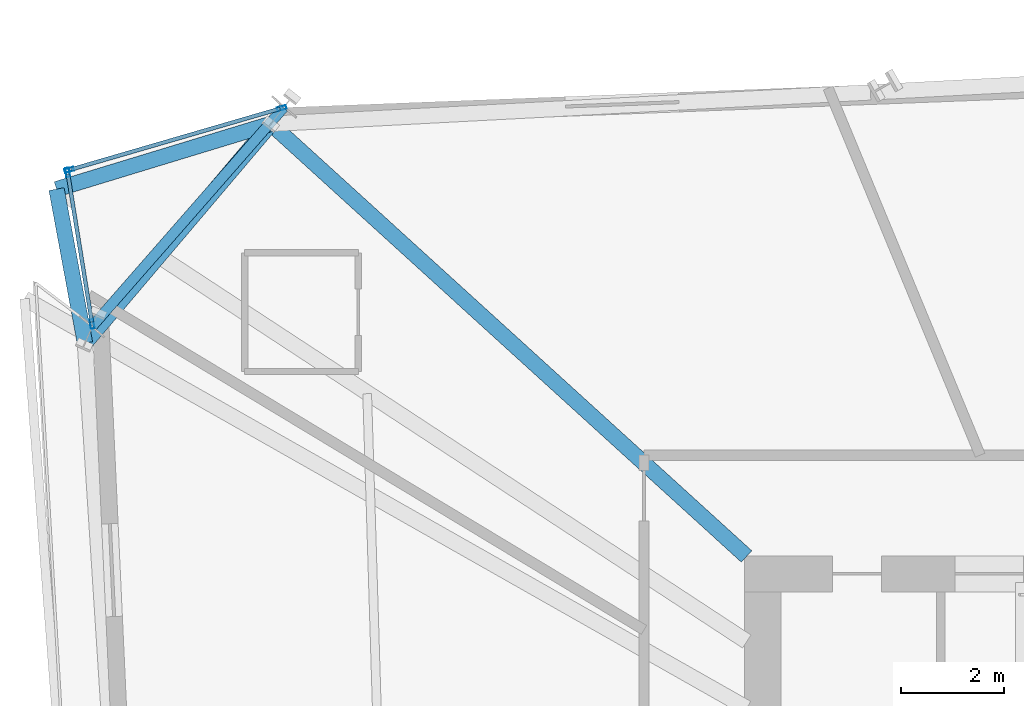
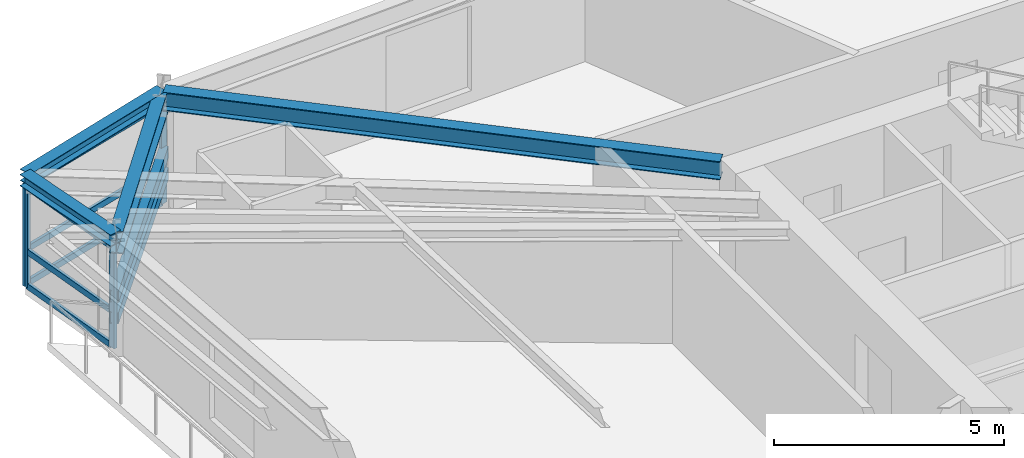
# One storey, part 7 of 19: 12 members, 4 beams, 2 elements without a shape of their own.
"""IFC4 building model written with IfcOpenShell, lengths in metres."""

from ifc_helpers import new_model, si_unit, direction, frame, origin, origin_2d, place, context, subcontext, project, spatial, hollow_rectangle, i_section, extrude, source, transform, mapped, material, material_profile, profile_set, type_object, element, aggregate, save


model = new_model("IFC4")

# Units and contexts
model_context = context("Model", 3, precision=1e-05, world=origin(), true_north=direction((0.0, 1.0)))
body_context = subcontext(model_context, "Body", "Model", "MODEL_VIEW")
ifc_project = project(units=[si_unit("LENGTHUNIT", "METRE"), si_unit("AREAUNIT", "SQUARE_METRE"), si_unit("VOLUMEUNIT", "CUBIC_METRE"), si_unit("PLANEANGLEUNIT", "RADIAN"), si_unit("MASSUNIT", "GRAM", prefix="KILO")], contexts=[model_context])

# Site, building, storey
site_placement = place(None, origin())
site = spatial("IfcSite", under=ifc_project, at=site_placement, CompositionType="ELEMENT")
building_placement = place(site_placement, origin())
building = spatial("IfcBuilding", under=site, at=building_placement, Name="Olszyna Solenne Hotel", CompositionType="ELEMENT")
storey_placement = place(building_placement, frame((0.0, 0.0, 102.14990234375)))
storey = spatial("IfcBuildingStorey", under=building, at=storey_placement, Name="L26", CompositionType="ELEMENT", Elevation=102.14990234375)

# Beams
ifc_material_1 = material(Name="Steel S355J2", Category="steel")
ifc_material_profile_1 = material_profile(ifc_material_1, i_section(OverallWidth=0.300048828125, OverallDepth=0.60009765625, WebThickness=0.015380859375, FlangeThickness=0.030029296875, at=origin_2d()), Name="HEB 600", Category="load-bearing")
ifc_profile_set_1 = profile_set([ifc_material_profile_1], Name="Steel S355J2")
beam_type_1 = type_object("IfcBeamType", Name="BM-S2", PredefinedType="BEAM", material=ifc_profile_set_1)
shared_shape_1 = source(origin(), body_context, "Body", "SweptSolid", [
    extrude(i_section(OverallWidth=0.300048828125, OverallDepth=0.60009765625, WebThickness=0.015380859375, FlangeThickness=0.030029296875, at=origin_2d()), origin(), (0.0, 0.0, 1.0), 5.449462890625),
])
beam_1_placement = place(storey_placement, frame((20.182373046875, 42.723388671875, 3.0), z_axis=(-0.646779306026, -0.762677211733, 0.0), x_axis=(0.762677211733, -0.646779306026, 0.0)))
element("IfcBeam", 1, at=beam_1_placement, inside=storey, type_object=beam_type_1, Name="Perimeter spandrel beam BM-S2 B-L26-0784", PredefinedType="BEAM", context=body_context, shape_type="MappedRepresentation", body=[
    mapped(shared_shape_1, transform((0.0, 0.0, 0.0), x_axis=(1.0, 0.0, 0.0), y_axis=(0.0, 1.0, 0.0), z_axis=(0.0, 0.0, 1.0), scale=1.0)),
])
ifc_material_profile_2 = material_profile(ifc_material_1, i_section(OverallWidth=0.300048828125, OverallDepth=0.489990234375, WebThickness=0.011962890625, FlangeThickness=0.02294921875, at=origin_2d()), Name="HEA 500", Category="load-bearing")
ifc_profile_set_2 = profile_set([ifc_material_profile_2], Name="Steel S355J2")
beam_type_2 = type_object("IfcBeamType", Name="BM-G1", PredefinedType="BEAM", material=ifc_profile_set_2)
shared_shape_2 = source(origin(), body_context, "Body", "SweptSolid", [
    extrude(i_section(OverallWidth=0.300048828125, OverallDepth=0.489990234375, WebThickness=0.011962890625, FlangeThickness=0.02294921875, at=origin_2d()), origin(), (0.0, 0.0, 1.0), 12.397216796875),
])
beam_2_placement = place(storey_placement, frame((20.265380859375, 42.728759765625, 3.05517578125), z_axis=(0.739810851595, -0.672814910553, 0.0), x_axis=(0.672814910553, 0.739810851595, 0.0)))
element("IfcBeam", 2, at=beam_2_placement, inside=storey, type_object=beam_type_2, Name="Radial floor girder BM-G1 B-L26-0795", PredefinedType="BEAM", context=body_context, shape_type="MappedRepresentation", body=[
    mapped(shared_shape_2, transform((0.0, 0.0, 0.0), x_axis=(1.0, 0.0, 0.0), y_axis=(0.0, 1.0, 0.0), z_axis=(0.0, 0.0, 1.0), scale=1.0)),
])
ifc_material_profile_3 = material_profile(ifc_material_1, i_section(OverallWidth=0.300048828125, OverallDepth=0.31005859375, WebThickness=0.009033203125, FlangeThickness=0.015380859375, at=origin_2d()), Name="HEA 320", Category="load-bearing")
ifc_profile_set_3 = profile_set([ifc_material_profile_3], Name="Steel S355J2")
beam_type_3 = type_object("IfcBeamType", Name="BM-G3", PredefinedType="BEAM", material=ifc_profile_set_3)
shared_shape_3 = source(origin(), body_context, "Body", "SweptSolid", [
    extrude(i_section(OverallWidth=0.300048828125, OverallDepth=0.31005859375, WebThickness=0.009033203125, FlangeThickness=0.015380859375, at=origin_2d()), origin(), (0.0, 0.0, 1.0), 4.341796875),
])
beam_3_placement = place(storey_placement, frame((20.22119140625, 42.769287109375, 3.14501953125), z_axis=(-0.956640505841, -0.291271252587, 0.0), x_axis=(0.291271252587, -0.956640505841, 0.0)))
element("IfcBeam", 3, at=beam_3_placement, inside=storey, type_object=beam_type_3, Name="Prism side edge beam BM-G3 B-L26-0801", PredefinedType="BEAM", context=body_context, shape_type="MappedRepresentation", body=[
    mapped(shared_shape_3, transform((0.0, 0.0, 0.0), x_axis=(1.0, 0.0, 0.0), y_axis=(0.0, 1.0, 0.0), z_axis=(0.0, 0.0, 1.0), scale=1.0)),
])
shared_shape_4 = source(origin(), body_context, "Body", "SweptSolid", [
    extrude(i_section(OverallWidth=0.300048828125, OverallDepth=0.31005859375, WebThickness=0.009033203125, FlangeThickness=0.015380859375, at=origin_2d()), origin(), (0.0, 0.0, 1.0), 3.033935546875),
])
beam_4_placement = place(storey_placement, frame((16.618896484375, 38.521240234375, 3.14501953125), z_axis=(-0.181703114271, 0.98335343507, 0.0), x_axis=(-0.98335343507, -0.181703114271, 0.0)))
element("IfcBeam", 4, at=beam_4_placement, inside=storey, type_object=beam_type_3, Name="Prism side edge beam BM-G3 B-L26-0802", PredefinedType="BEAM", context=body_context, shape_type="MappedRepresentation", body=[
    mapped(shared_shape_4, transform((0.0, 0.0, 0.0), x_axis=(1.0, 0.0, 0.0), y_axis=(0.0, 1.0, 0.0), z_axis=(0.0, 0.0, 1.0), scale=1.0)),
])

# Members
ifc_material_profile_4 = material_profile(ifc_material_1, hollow_rectangle(XDim=0.199951171875, YDim=0.300048828125, WallThickness=0.01611328125, at=origin_2d()), Name="RHS 300x200x16", Category="load-bearing")
ifc_profile_set_4 = profile_set([ifc_material_profile_4], Name="Steel S355J2")
member_type_1 = type_object("IfcMemberType", Name="CH-PR1", PredefinedType="CHORD", material=ifc_profile_set_4)
shared_shape_5 = source(origin(), body_context, "Body", "SweptSolid", [
    extrude(hollow_rectangle(XDim=0.199951171875, YDim=0.300048828125, WallThickness=0.01611328125, at=origin_2d()), origin(), (0.0, 0.0, 1.0), 5.62255859375),
])
for number, where, z_axis, x_axis, name in (
    (5, (20.46728515625, 43.083740234375, 1.35009765625), (-0.658630638812, -0.752466398996, 0.0), (0.752466398996, -0.658630638812, 0.0), "Glass-prism tie chord CH-PR1 M-L26-PR1"),
    (6, (20.46728515625, 43.083740234375, 0.780029296875), (-0.658630638812, -0.752466398996, 0.0), (0.752466398996, -0.658630638812, 0.0), "Glass-prism tie chord CH-PR1 M-L26-PR2"),
):
    element("IfcMember", number, at=place(storey_placement, frame(where, z_axis=z_axis, x_axis=x_axis)), inside=storey, type_object=member_type_1, Name=name, PredefinedType="CHORD", context=body_context, shape_type="MappedRepresentation", body=[
        mapped(shared_shape_5, transform((0.0, 0.0, 0.0), x_axis=(1.0, 0.0, 0.0), y_axis=(0.0, 1.0, 0.0), z_axis=(0.0, 0.0, 1.0), scale=1.0)),
    ])

# Curtain wall, members
ifc_material_2 = material(Name="Anodised bronze aluminium", Category="aluminium")
curtain_wall_type = type_object("IfcCurtainWallType", Name="CW-SYS-5", PredefinedType="NOTDEFINED", material=ifc_material_2)
curtain_wall_1_placement = place(storey_placement, origin())
curtain_wall_1 = element("IfcCurtainWall", 7, at=curtain_wall_1_placement, inside=storey, type_object=curtain_wall_type, Name="Unitised curtain wall CW-SYS-5 CW-L26-02", PredefinedType="NOTDEFINED")
ifc_material_profile_5 = material_profile(ifc_material_2, hollow_rectangle(XDim=0.074951171875, YDim=0.179931640625, WallThickness=0.00439453125, at=origin_2d()), Name="MULL 180x75x4.5", Category="load-bearing")
ifc_profile_set_5 = profile_set([ifc_material_profile_5], Name="Anodised bronze aluminium")
member_type_2 = type_object("IfcMemberType", Name="CW-M2", PredefinedType="MULLION", material=ifc_profile_set_5)
shared_shape_6 = source(origin(), body_context, "Body", "SweptSolid", [
    extrude(hollow_rectangle(XDim=0.074951171875, YDim=0.179931640625, WallThickness=0.00439453125, at=origin_2d()), origin(), (0.0, 0.0, 1.0), 2.692138671875),
])
member_1_placement = place(storey_placement, frame((16.283203125, 41.82763671875, 0.0), z_axis=(0.0, 0.0, 1.0), x_axis=(0.987175376667, 0.159639517987, 0.0)))
member_1 = element("IfcMember", 8, at=member_1_placement, type_object=member_type_2, Name="Curtain-wall mullion CW-M2 CM-L26-02-01", PredefinedType="MULLION", context=body_context, shape_type="MappedRepresentation", body=[
    mapped(shared_shape_6, transform((0.0, 0.0, 0.0), x_axis=(1.0, 0.0, 0.0), y_axis=(0.0, 1.0, 0.0), z_axis=(0.0, 0.0, 1.0), scale=1.0)),
])
member_2_placement = place(storey_placement, frame((16.758056640625, 38.89013671875, 0.0), z_axis=(0.0, 0.0, 1.0), x_axis=(0.987175376667, 0.159639517987, 0.0)))
member_2 = element("IfcMember", 9, at=member_2_placement, type_object=member_type_2, Name="Curtain-wall mullion CW-M2 CM-L26-02-02", PredefinedType="MULLION", context=body_context, shape_type="MappedRepresentation", body=[
    mapped(shared_shape_6, transform((0.0, 0.0, 0.0), x_axis=(1.0, 0.0, 0.0), y_axis=(0.0, 1.0, 0.0), z_axis=(0.0, 0.0, 1.0), scale=1.0)),
])

curtain_wall_2_placement = place(storey_placement, origin())
curtain_wall_2 = element("IfcCurtainWall", 10, at=curtain_wall_2_placement, inside=storey, type_object=curtain_wall_type, Name="Unitised curtain wall CW-SYS-5 CW-L26-03", PredefinedType="NOTDEFINED")
member_3_placement = place(storey_placement, frame((16.31298828125, 41.875, 0.0), z_axis=(0.0, 0.0, 1.0), x_axis=(-0.279372561832, 0.960182780358, 0.0)))
member_3 = element("IfcMember", 11, at=member_3_placement, type_object=member_type_2, Name="Curtain-wall mullion CW-M2 CM-L26-03-01", PredefinedType="MULLION", context=body_context, shape_type="MappedRepresentation", body=[
    mapped(shared_shape_6, transform((0.0, 0.0, 0.0), x_axis=(1.0, 0.0, 0.0), y_axis=(0.0, 1.0, 0.0), z_axis=(0.0, 0.0, 1.0), scale=1.0)),
])
member_4_placement = place(storey_placement, frame((20.431396484375, 43.0732421875, 0.0), z_axis=(0.0, 0.0, 1.0), x_axis=(-0.279372561832, 0.960182780358, 0.0)))
member_4 = element("IfcMember", 12, at=member_4_placement, type_object=member_type_2, Name="Curtain-wall mullion CW-M2 CM-L26-03-02", PredefinedType="MULLION", context=body_context, shape_type="MappedRepresentation", body=[
    mapped(shared_shape_6, transform((0.0, 0.0, 0.0), x_axis=(1.0, 0.0, 0.0), y_axis=(0.0, 1.0, 0.0), z_axis=(0.0, 0.0, 1.0), scale=1.0)),
])

# Member
ifc_material_profile_6 = material_profile(ifc_material_2, hollow_rectangle(XDim=0.074951171875, YDim=0.159912109375, WallThickness=0.00390625, at=origin_2d()), Name="TRAN 160x75x4", Category="load-bearing")
ifc_profile_set_6 = profile_set([ifc_material_profile_6], Name="Anodised bronze aluminium")
member_type_3 = type_object("IfcMemberType", Name="CW-T1", PredefinedType="USERDEFINED", material=ifc_profile_set_6)
shared_shape_7 = source(origin(), body_context, "Body", "SweptSolid", [
    extrude(hollow_rectangle(XDim=0.074951171875, YDim=0.159912109375, WallThickness=0.00390625, at=origin_2d()), origin(), (0.0, 0.0, 1.0), 2.900390625),
])
member_5_placement = place(storey_placement, frame((16.2890625, 41.79052734375, 0.03759765625), z_axis=(0.159674368788, -0.987169740193, 0.0), x_axis=(0.987169740193, 0.159674368788, 0.0)))
member_5 = element("IfcMember", 13, at=member_5_placement, type_object=member_type_3, Name="Curtain-wall transom CW-T1 CT-L26-02-01", ObjectType="TRANSOM", PredefinedType="USERDEFINED", context=body_context, shape_type="MappedRepresentation", body=[
    mapped(shared_shape_7, transform((0.0, 0.0, 0.0), x_axis=(1.0, 0.0, 0.0), y_axis=(0.0, 1.0, 0.0), z_axis=(0.0, 0.0, 1.0), scale=1.0)),
])

member_6_placement = place(storey_placement, frame((16.2890625, 41.79052734375, 0.9501953125), z_axis=(0.159674368788, -0.987169740193, 0.0), x_axis=(0.987169740193, 0.159674368788, 0.0)))
member_6 = element("IfcMember", 14, at=member_6_placement, type_object=member_type_3, Name="Curtain-wall transom CW-T1 CT-L26-02-02", ObjectType="TRANSOM", PredefinedType="USERDEFINED", context=body_context, shape_type="MappedRepresentation", body=[
    mapped(shared_shape_7, transform((0.0, 0.0, 0.0), x_axis=(1.0, 0.0, 0.0), y_axis=(0.0, 1.0, 0.0), z_axis=(0.0, 0.0, 1.0), scale=1.0)),
])

member_7_placement = place(storey_placement, frame((16.2890625, 41.79052734375, 2.654541015625), z_axis=(0.159674368788, -0.987169740193, 0.0), x_axis=(0.987169740193, 0.159674368788, 0.0)))
member_7 = element("IfcMember", 15, at=member_7_placement, type_object=member_type_3, Name="Curtain-wall transom CW-T1 CT-L26-02-03", ObjectType="TRANSOM", PredefinedType="USERDEFINED", context=body_context, shape_type="MappedRepresentation", body=[
    mapped(shared_shape_7, transform((0.0, 0.0, 0.0), x_axis=(1.0, 0.0, 0.0), y_axis=(0.0, 1.0, 0.0), z_axis=(0.0, 0.0, 1.0), scale=1.0)),
])

aggregate(curtain_wall_1, [member_1, member_2, member_5, member_6, member_7])

shared_shape_8 = source(origin(), body_context, "Body", "SweptSolid", [
    extrude(hollow_rectangle(XDim=0.074951171875, YDim=0.159912109375, WallThickness=0.00390625, at=origin_2d()), origin(), (0.0, 0.0, 1.0), 4.214111328125),
])
member_8_placement = place(storey_placement, frame((16.34912109375, 41.885498046875, 0.03759765625), z_axis=(0.960187950862, 0.279354790579, 0.0), x_axis=(-0.279354790579, 0.960187950862, 0.0)))
member_8 = element("IfcMember", 16, at=member_8_placement, type_object=member_type_3, Name="Curtain-wall transom CW-T1 CT-L26-03-01", ObjectType="TRANSOM", PredefinedType="USERDEFINED", context=body_context, shape_type="MappedRepresentation", body=[
    mapped(shared_shape_8, transform((0.0, 0.0, 0.0), x_axis=(1.0, 0.0, 0.0), y_axis=(0.0, 1.0, 0.0), z_axis=(0.0, 0.0, 1.0), scale=1.0)),
])

member_9_placement = place(storey_placement, frame((16.34912109375, 41.885498046875, 0.9501953125), z_axis=(0.960187950862, 0.279354790579, 0.0), x_axis=(-0.279354790579, 0.960187950862, 0.0)))
member_9 = element("IfcMember", 17, at=member_9_placement, type_object=member_type_3, Name="Curtain-wall transom CW-T1 CT-L26-03-02", ObjectType="TRANSOM", PredefinedType="USERDEFINED", context=body_context, shape_type="MappedRepresentation", body=[
    mapped(shared_shape_8, transform((0.0, 0.0, 0.0), x_axis=(1.0, 0.0, 0.0), y_axis=(0.0, 1.0, 0.0), z_axis=(0.0, 0.0, 1.0), scale=1.0)),
])

member_10_placement = place(storey_placement, frame((16.34912109375, 41.885498046875, 2.654541015625), z_axis=(0.960187950862, 0.279354790579, 0.0), x_axis=(-0.279354790579, 0.960187950862, 0.0)))
member_10 = element("IfcMember", 18, at=member_10_placement, type_object=member_type_3, Name="Curtain-wall transom CW-T1 CT-L26-03-03", ObjectType="TRANSOM", PredefinedType="USERDEFINED", context=body_context, shape_type="MappedRepresentation", body=[
    mapped(shared_shape_8, transform((0.0, 0.0, 0.0), x_axis=(1.0, 0.0, 0.0), y_axis=(0.0, 1.0, 0.0), z_axis=(0.0, 0.0, 1.0), scale=1.0)),
])

aggregate(curtain_wall_2, [member_3, member_4, member_8, member_9, member_10])

save(model, "model.ifc")
